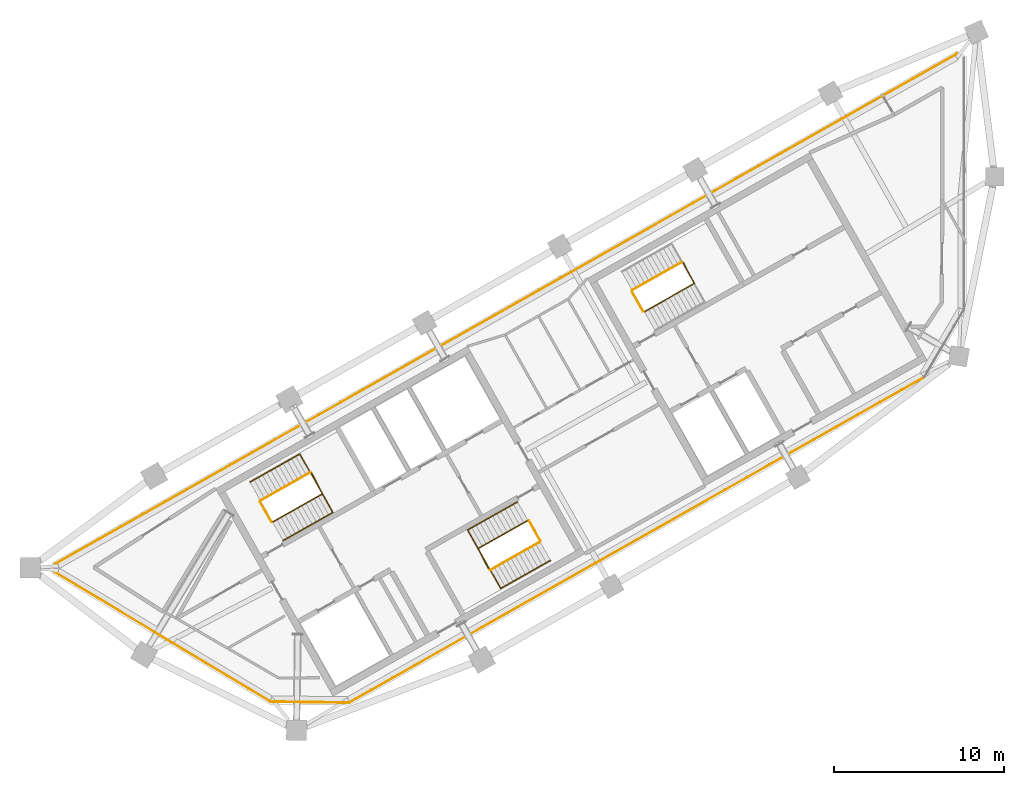
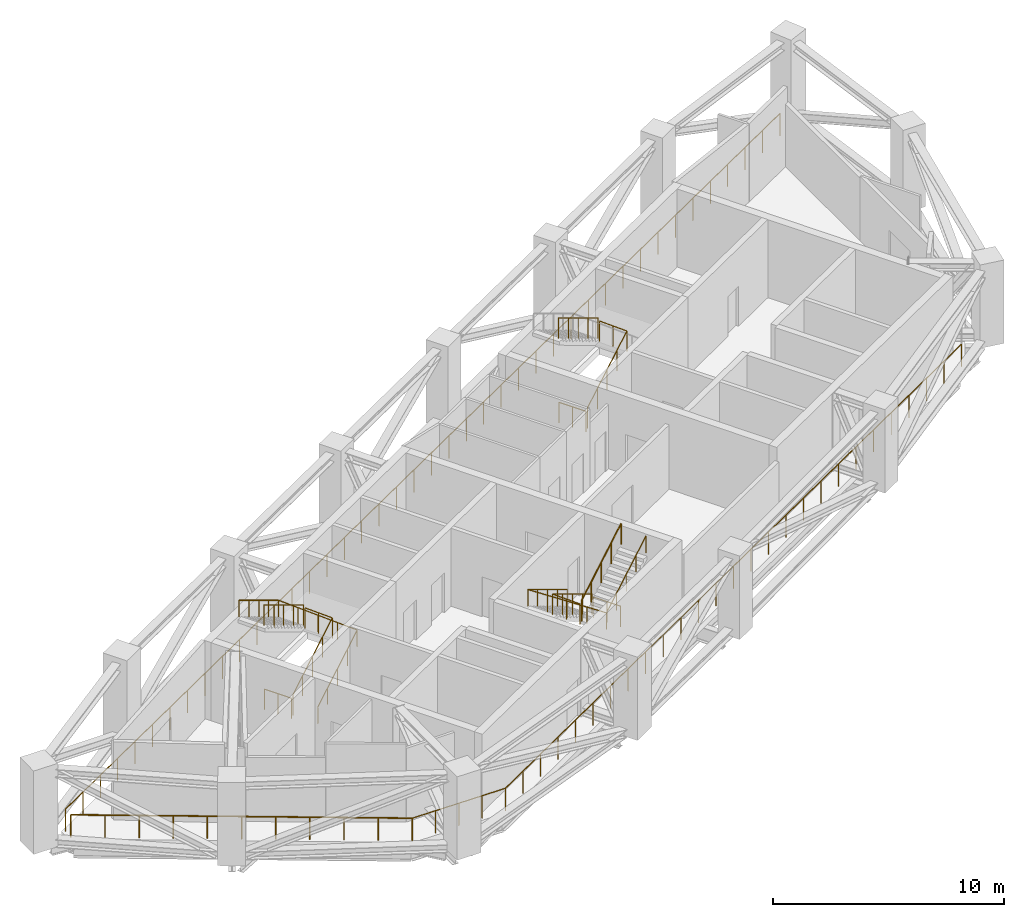
# One storey, part 9 of 10: 15 railings.
"""IFC4 building model written with IfcOpenShell, lengths in metres."""

from ifc_helpers import new_model, si_unit, direction, frame, origin, origin_2d, place, context, subcontext, project, spatial, circle, extrude, material, type_object, element, save


model = new_model("IFC4")

# Units and contexts
model_context = context("Model", 3, precision=1e-05, world=origin(), true_north=direction((0.0, 1.0)))
body_context = subcontext(model_context, "Body", "Model", "MODEL_VIEW")
ifc_project = project(units=[si_unit("LENGTHUNIT", "METRE"), si_unit("AREAUNIT", "SQUARE_METRE"), si_unit("VOLUMEUNIT", "CUBIC_METRE"), si_unit("PLANEANGLEUNIT", "RADIAN"), si_unit("MASSUNIT", "GRAM", prefix="KILO")], contexts=[model_context])

# Site, building, storey
site_placement = place(None, origin())
site = spatial("IfcSite", under=ifc_project, at=site_placement, CompositionType="ELEMENT")
building_placement = place(site_placement, origin())
building = spatial("IfcBuilding", under=site, at=building_placement, Name="Binnacle Exchange Tower", CompositionType="ELEMENT")
storey_placement = place(building_placement, frame((0.0, 0.0, 312.10009765625)))
storey = spatial("IfcBuildingStorey", under=building, at=storey_placement, Name="L70", CompositionType="ELEMENT", Elevation=312.10009765625)

# Railings
ifc_material_1 = material(Name="Bronze anodised aluminium frame", Category="aluminium")
railing_type_1 = type_object("IfcRailingType", Name="GUARD 1200", PredefinedType="GUARDRAIL", material=ifc_material_1)
railing_1_placement = place(storey_placement, frame((-4.974609375, 48.230224609375, 0.0)))
element("IfcRailing", 1, at=railing_1_placement, inside=storey, type_object=railing_type_1, Name="Slab edge guard 1 L70", PredefinedType="GUARDRAIL", context=body_context, shape_type="SweptSolid", body=[
    extrude(circle(Radius=0.02392578125, at=origin_2d()), frame((0.0, 0.0, 1.17578125), z_axis=(-0.870356132255, -0.492422788918, 0.0), x_axis=(0.492422788918, -0.870356132255, 0.0)), (0.0, 0.0, 1.0), 38.840087890625),
    extrude(circle(Radius=0.02099609375, at=origin_2d()), origin(), (0.0, 0.0, 1.0), 1.15185546875),
    extrude(circle(Radius=0.02099609375, at=origin_2d()), frame((-1.30029296875, -0.735595703125, 0.0)), (0.0, 0.0, 1.0), 1.15185546875),
    extrude(circle(Radius=0.02099609375, at=origin_2d()), frame((-2.600341796875, -1.47119140625, 0.0)), (0.0, 0.0, 1.0), 1.15185546875),
    extrude(circle(Radius=0.02099609375, at=origin_2d()), frame((-3.900634765625, -2.206787109375, 0.0)), (0.0, 0.0, 1.0), 1.15185546875),
    extrude(circle(Radius=0.02099609375, at=origin_2d()), frame((-5.20068359375, -2.9423828125, 0.0)), (0.0, 0.0, 1.0), 1.15185546875),
    extrude(circle(Radius=0.02099609375, at=origin_2d()), frame((-6.5009765625, -3.677978515625, 0.0)), (0.0, 0.0, 1.0), 1.15185546875),
    extrude(circle(Radius=0.02099609375, at=origin_2d()), frame((-7.801025390625, -4.41357421875, 0.0)), (0.0, 0.0, 1.0), 1.15185546875),
    extrude(circle(Radius=0.02099609375, at=origin_2d()), frame((-9.101318359375, -5.149169921875, 0.0)), (0.0, 0.0, 1.0), 1.15185546875),
    extrude(circle(Radius=0.02099609375, at=origin_2d()), frame((-10.4013671875, -5.884765625, 0.0)), (0.0, 0.0, 1.0), 1.15185546875),
    extrude(circle(Radius=0.02099609375, at=origin_2d()), frame((-11.70166015625, -6.620361328125, 0.0)), (0.0, 0.0, 1.0), 1.15185546875),
    extrude(circle(Radius=0.02099609375, at=origin_2d()), frame((-13.001708984375, -7.35595703125, 0.0)), (0.0, 0.0, 1.0), 1.15185546875),
    extrude(circle(Radius=0.02099609375, at=origin_2d()), frame((-14.302001953125, -8.091552734375, 0.0)), (0.0, 0.0, 1.0), 1.15185546875),
    extrude(circle(Radius=0.02099609375, at=origin_2d()), frame((-15.60205078125, -8.8271484375, 0.0)), (0.0, 0.0, 1.0), 1.15185546875),
    extrude(circle(Radius=0.02099609375, at=origin_2d()), frame((-16.90234375, -9.56298828125, 0.0)), (0.0, 0.0, 1.0), 1.15185546875),
    extrude(circle(Radius=0.02099609375, at=origin_2d()), frame((-18.20263671875, -10.298583984375, 0.0)), (0.0, 0.0, 1.0), 1.15185546875),
    extrude(circle(Radius=0.02099609375, at=origin_2d()), frame((-19.502685546875, -11.0341796875, 0.0)), (0.0, 0.0, 1.0), 1.15185546875),
    extrude(circle(Radius=0.02099609375, at=origin_2d()), frame((-20.802978515625, -11.769775390625, 0.0)), (0.0, 0.0, 1.0), 1.15185546875),
    extrude(circle(Radius=0.02099609375, at=origin_2d()), frame((-22.10302734375, -12.50537109375, 0.0)), (0.0, 0.0, 1.0), 1.15185546875),
    extrude(circle(Radius=0.02099609375, at=origin_2d()), frame((-23.4033203125, -13.240966796875, 0.0)), (0.0, 0.0, 1.0), 1.15185546875),
    extrude(circle(Radius=0.02099609375, at=origin_2d()), frame((-24.703369140625, -13.9765625, 0.0)), (0.0, 0.0, 1.0), 1.15185546875),
    extrude(circle(Radius=0.02099609375, at=origin_2d()), frame((-26.003662109375, -14.712158203125, 0.0)), (0.0, 0.0, 1.0), 1.15185546875),
    extrude(circle(Radius=0.02099609375, at=origin_2d()), frame((-27.3037109375, -15.44775390625, 0.0)), (0.0, 0.0, 1.0), 1.15185546875),
    extrude(circle(Radius=0.02099609375, at=origin_2d()), frame((-28.60400390625, -16.183349609375, 0.0)), (0.0, 0.0, 1.0), 1.15185546875),
    extrude(circle(Radius=0.02099609375, at=origin_2d()), frame((-29.904052734375, -16.9189453125, 0.0)), (0.0, 0.0, 1.0), 1.15185546875),
    extrude(circle(Radius=0.02099609375, at=origin_2d()), frame((-31.204345703125, -17.654541015625, 0.0)), (0.0, 0.0, 1.0), 1.15185546875),
    extrude(circle(Radius=0.02099609375, at=origin_2d()), frame((-32.50439453125, -18.39013671875, 0.0)), (0.0, 0.0, 1.0), 1.15185546875),
    extrude(circle(Radius=0.02099609375, at=origin_2d()), frame((-33.8046875, -19.125732421875, 0.0)), (0.0, 0.0, 1.0), 1.15185546875),
])
railing_2_placement = place(storey_placement, frame((-38.779296875, 29.1044921875, 0.0)))
element("IfcRailing", 2, at=railing_2_placement, inside=storey, type_object=railing_type_1, Name="Slab edge guard 2 L70", PredefinedType="GUARDRAIL", context=body_context, shape_type="SweptSolid", body=[
    extrude(circle(Radius=0.02392578125, at=origin_2d()), frame((0.0, 0.0, 1.17578125), z_axis=(-0.999914605357, 0.013068358512, 0.0), x_axis=(-0.013068358512, -0.999914605357, 0.0)), (0.0, 0.0, 1.0), 4.614501953125),
    extrude(circle(Radius=0.02099609375, at=origin_2d()), origin(), (0.0, 0.0, 1.0), 1.15185546875),
    extrude(circle(Radius=0.02099609375, at=origin_2d()), frame((-1.153564453125, 0.01513671875, 0.0)), (0.0, 0.0, 1.0), 1.15185546875),
    extrude(circle(Radius=0.02099609375, at=origin_2d()), frame((-2.30712890625, 0.0302734375, 0.0)), (0.0, 0.0, 1.0), 1.15185546875),
    extrude(circle(Radius=0.02099609375, at=origin_2d()), frame((-3.46044921875, 0.045166015625, 0.0)), (0.0, 0.0, 1.0), 1.15185546875),
    extrude(circle(Radius=0.02099609375, at=origin_2d()), frame((-4.614013671875, 0.060302734375, 0.0)), (0.0, 0.0, 1.0), 1.15185546875),
])
railing_3_placement = place(storey_placement, frame((-43.393310546875, 29.164794921875, 0.0)))
element("IfcRailing", 3, at=railing_3_placement, inside=storey, type_object=railing_type_1, Name="Slab edge guard 3 L70", PredefinedType="GUARDRAIL", context=body_context, shape_type="SweptSolid", body=[
    extrude(circle(Radius=0.02392578125, at=origin_2d()), frame((0.0, 0.0, 1.17578125), z_axis=(-0.857165864505, 0.515040465135, 0.0), x_axis=(-0.515040465135, -0.857165864505, 0.0)), (0.0, 0.0, 1.0), 14.761474609375),
    extrude(circle(Radius=0.02099609375, at=origin_2d()), origin(), (0.0, 0.0, 1.0), 1.15185546875),
    extrude(circle(Radius=0.02099609375, at=origin_2d()), frame((-1.265380859375, 0.76025390625, 0.0)), (0.0, 0.0, 1.0), 1.15185546875),
    extrude(circle(Radius=0.02099609375, at=origin_2d()), frame((-2.530517578125, 1.5205078125, 0.0)), (0.0, 0.0, 1.0), 1.15185546875),
    extrude(circle(Radius=0.02099609375, at=origin_2d()), frame((-3.7958984375, 2.28076171875, 0.0)), (0.0, 0.0, 1.0), 1.15185546875),
    extrude(circle(Radius=0.02099609375, at=origin_2d()), frame((-5.061279296875, 3.041015625, 0.0)), (0.0, 0.0, 1.0), 1.15185546875),
    extrude(circle(Radius=0.02099609375, at=origin_2d()), frame((-6.32666015625, 3.80126953125, 0.0)), (0.0, 0.0, 1.0), 1.15185546875),
    extrude(circle(Radius=0.02099609375, at=origin_2d()), frame((-7.591796875, 4.561767578125, 0.0)), (0.0, 0.0, 1.0), 1.15185546875),
    extrude(circle(Radius=0.02099609375, at=origin_2d()), frame((-8.857177734375, 5.322021484375, 0.0)), (0.0, 0.0, 1.0), 1.15185546875),
    extrude(circle(Radius=0.02099609375, at=origin_2d()), frame((-10.12255859375, 6.082275390625, 0.0)), (0.0, 0.0, 1.0), 1.15185546875),
    extrude(circle(Radius=0.02099609375, at=origin_2d()), frame((-11.3876953125, 6.842529296875, 0.0)), (0.0, 0.0, 1.0), 1.15185546875),
    extrude(circle(Radius=0.02099609375, at=origin_2d()), frame((-12.653076171875, 7.602783203125, 0.0)), (0.0, 0.0, 1.0), 1.15185546875),
])
railing_4_placement = place(storey_placement, frame((-56.0400390625, 37.24951171875, 0.0)))
element("IfcRailing", 4, at=railing_4_placement, inside=storey, type_object=railing_type_1, Name="Slab edge guard 4 L70", PredefinedType="GUARDRAIL", context=body_context, shape_type="SweptSolid", body=[
    extrude(circle(Radius=0.02392578125, at=origin_2d()), frame((0.0, 0.0, 1.17578125), z_axis=(0.870357317401, 0.492420694169, 0.0), x_axis=(-0.492420694169, 0.870357317401, 0.0)), (0.0, 0.0, 1.0), 60.864501953125),
    extrude(circle(Radius=0.02099609375, at=origin_2d()), origin(), (0.0, 0.0, 1.0), 1.15185546875),
    extrude(circle(Radius=0.02099609375, at=origin_2d()), frame((1.2919921875, 0.73095703125, 0.0)), (0.0, 0.0, 1.0), 1.15185546875),
    extrude(circle(Radius=0.02099609375, at=origin_2d()), frame((2.583984375, 1.4619140625, 0.0)), (0.0, 0.0, 1.0), 1.15185546875),
    extrude(circle(Radius=0.02099609375, at=origin_2d()), frame((3.876220703125, 2.193115234375, 0.0)), (0.0, 0.0, 1.0), 1.15185546875),
    extrude(circle(Radius=0.02099609375, at=origin_2d()), frame((5.168212890625, 2.924072265625, 0.0)), (0.0, 0.0, 1.0), 1.15185546875),
    extrude(circle(Radius=0.02099609375, at=origin_2d()), frame((6.460205078125, 3.655029296875, 0.0)), (0.0, 0.0, 1.0), 1.15185546875),
    extrude(circle(Radius=0.02099609375, at=origin_2d()), frame((7.752197265625, 4.385986328125, 0.0)), (0.0, 0.0, 1.0), 1.15185546875),
    extrude(circle(Radius=0.02099609375, at=origin_2d()), frame((9.04443359375, 5.116943359375, 0.0)), (0.0, 0.0, 1.0), 1.15185546875),
    extrude(circle(Radius=0.02099609375, at=origin_2d()), frame((10.33642578125, 5.847900390625, 0.0)), (0.0, 0.0, 1.0), 1.15185546875),
    extrude(circle(Radius=0.02099609375, at=origin_2d()), frame((11.62841796875, 6.5791015625, 0.0)), (0.0, 0.0, 1.0), 1.15185546875),
    extrude(circle(Radius=0.02099609375, at=origin_2d()), frame((12.92041015625, 7.31005859375, 0.0)), (0.0, 0.0, 1.0), 1.15185546875),
    extrude(circle(Radius=0.02099609375, at=origin_2d()), frame((14.21240234375, 8.041015625, 0.0)), (0.0, 0.0, 1.0), 1.15185546875),
    extrude(circle(Radius=0.02099609375, at=origin_2d()), frame((15.504638671875, 8.77197265625, 0.0)), (0.0, 0.0, 1.0), 1.15185546875),
    extrude(circle(Radius=0.02099609375, at=origin_2d()), frame((16.796630859375, 9.5029296875, 0.0)), (0.0, 0.0, 1.0), 1.15185546875),
    extrude(circle(Radius=0.02099609375, at=origin_2d()), frame((18.088623046875, 10.23388671875, 0.0)), (0.0, 0.0, 1.0), 1.15185546875),
    extrude(circle(Radius=0.02099609375, at=origin_2d()), frame((19.380615234375, 10.965087890625, 0.0)), (0.0, 0.0, 1.0), 1.15185546875),
    extrude(circle(Radius=0.02099609375, at=origin_2d()), frame((20.6728515625, 11.696044921875, 0.0)), (0.0, 0.0, 1.0), 1.15185546875),
    extrude(circle(Radius=0.02099609375, at=origin_2d()), frame((21.96484375, 12.427001953125, 0.0)), (0.0, 0.0, 1.0), 1.15185546875),
    extrude(circle(Radius=0.02099609375, at=origin_2d()), frame((23.2568359375, 13.157958984375, 0.0)), (0.0, 0.0, 1.0), 1.15185546875),
    extrude(circle(Radius=0.02099609375, at=origin_2d()), frame((24.548828125, 13.888916015625, 0.0)), (0.0, 0.0, 1.0), 1.15185546875),
    extrude(circle(Radius=0.02099609375, at=origin_2d()), frame((25.8408203125, 14.619873046875, 0.0)), (0.0, 0.0, 1.0), 1.15185546875),
    extrude(circle(Radius=0.02099609375, at=origin_2d()), frame((27.133056640625, 15.35107421875, 0.0)), (0.0, 0.0, 1.0), 1.15185546875),
    extrude(circle(Radius=0.02099609375, at=origin_2d()), frame((28.425048828125, 16.08203125, 0.0)), (0.0, 0.0, 1.0), 1.15185546875),
    extrude(circle(Radius=0.02099609375, at=origin_2d()), frame((29.717041015625, 16.81298828125, 0.0)), (0.0, 0.0, 1.0), 1.15185546875),
    extrude(circle(Radius=0.02099609375, at=origin_2d()), frame((31.009033203125, 17.5439453125, 0.0)), (0.0, 0.0, 1.0), 1.15185546875),
    extrude(circle(Radius=0.02099609375, at=origin_2d()), frame((32.301025390625, 18.27490234375, 0.0)), (0.0, 0.0, 1.0), 1.15185546875),
    extrude(circle(Radius=0.02099609375, at=origin_2d()), frame((33.59326171875, 19.005859375, 0.0)), (0.0, 0.0, 1.0), 1.15185546875),
    extrude(circle(Radius=0.02099609375, at=origin_2d()), frame((34.88525390625, 19.737060546875, 0.0)), (0.0, 0.0, 1.0), 1.15185546875),
    extrude(circle(Radius=0.02099609375, at=origin_2d()), frame((36.17724609375, 20.468017578125, 0.0)), (0.0, 0.0, 1.0), 1.15185546875),
    extrude(circle(Radius=0.02099609375, at=origin_2d()), frame((37.46923828125, 21.198974609375, 0.0)), (0.0, 0.0, 1.0), 1.15185546875),
    extrude(circle(Radius=0.02099609375, at=origin_2d()), frame((38.761474609375, 21.929931640625, 0.0)), (0.0, 0.0, 1.0), 1.15185546875),
    extrude(circle(Radius=0.02099609375, at=origin_2d()), frame((40.053466796875, 22.660888671875, 0.0)), (0.0, 0.0, 1.0), 1.15185546875),
    extrude(circle(Radius=0.02099609375, at=origin_2d()), frame((41.345458984375, 23.391845703125, 0.0)), (0.0, 0.0, 1.0), 1.15185546875),
    extrude(circle(Radius=0.02099609375, at=origin_2d()), frame((42.637451171875, 24.123046875, 0.0)), (0.0, 0.0, 1.0), 1.15185546875),
    extrude(circle(Radius=0.02099609375, at=origin_2d()), frame((43.929443359375, 24.85400390625, 0.0)), (0.0, 0.0, 1.0), 1.15185546875),
    extrude(circle(Radius=0.02099609375, at=origin_2d()), frame((45.2216796875, 25.5849609375, 0.0)), (0.0, 0.0, 1.0), 1.15185546875),
    extrude(circle(Radius=0.02099609375, at=origin_2d()), frame((46.513671875, 26.31591796875, 0.0)), (0.0, 0.0, 1.0), 1.15185546875),
    extrude(circle(Radius=0.02099609375, at=origin_2d()), frame((47.8056640625, 27.046875, 0.0)), (0.0, 0.0, 1.0), 1.15185546875),
    extrude(circle(Radius=0.02099609375, at=origin_2d()), frame((49.09765625, 27.77783203125, 0.0)), (0.0, 0.0, 1.0), 1.15185546875),
    extrude(circle(Radius=0.02099609375, at=origin_2d()), frame((50.389892578125, 28.509033203125, 0.0)), (0.0, 0.0, 1.0), 1.15185546875),
    extrude(circle(Radius=0.02099609375, at=origin_2d()), frame((51.681884765625, 29.239990234375, 0.0)), (0.0, 0.0, 1.0), 1.15185546875),
    extrude(circle(Radius=0.02099609375, at=origin_2d()), frame((52.973876953125, 29.970947265625, 0.0)), (0.0, 0.0, 1.0), 1.15185546875),
])
ifc_material_2 = material(Name="Steel guard rail", Category="steel")
railing_type_2 = type_object("IfcRailingType", Name="STAIR GUARD 1100", PredefinedType="GUARDRAIL", material=ifc_material_2)
railing_5_placement = place(storey_placement, frame((-43.26171875, 39.71728515625, 0.169189453125)))
element("IfcRailing", 5, at=railing_5_placement, inside=storey, type_object=railing_type_2, Name="L70 STA1 stair guard 1", PredefinedType="GUARDRAIL", context=body_context, shape_type="SweptSolid", body=[
    extrude(circle(Radius=0.02392578125, at=origin_2d()), frame((0.0, 0.0, 1.076171875), z_axis=(0.744867460262, 0.421436531824, 0.517265614832), x_axis=(-0.492433119026, 0.870350287693, 0.0)), (0.0, 0.0, 1.0), 3.926025390625),
    extrude(circle(Radius=0.02392578125, at=origin_2d()), frame((2.92431640625, 1.654541015625, 3.10693359375), z_axis=(-0.460963092712, 0.887419307406, 0.0), x_axis=(-0.887419307406, -0.460963092712, 0.0)), (0.0, 0.0, 1.0), 1.40087890625),
    extrude(circle(Radius=0.02099609375, at=origin_2d()), origin(), (0.0, 0.0, 1.0), 1.052001953125),
    extrude(circle(Radius=0.02099609375, at=origin_2d()), frame((0.73095703125, 0.41357421875, 0.5078125)), (0.0, 0.0, 1.0), 1.052001953125),
    extrude(circle(Radius=0.02099609375, at=origin_2d()), frame((1.462158203125, 0.8271484375, 1.015380859375)), (0.0, 0.0, 1.0), 1.052001953125),
    extrude(circle(Radius=0.02099609375, at=origin_2d()), frame((2.193359375, 1.240966796875, 1.52294921875)), (0.0, 0.0, 1.0), 1.052001953125),
    extrude(circle(Radius=0.02099609375, at=origin_2d()), frame((2.92431640625, 1.654541015625, 2.03076171875)), (0.0, 0.0, 1.0), 1.052001953125),
    extrude(circle(Radius=0.02099609375, at=origin_2d()), frame((2.6015625, 2.276123046875, 2.03076171875)), (0.0, 0.0, 1.0), 1.052001953125),
    extrude(circle(Radius=0.02099609375, at=origin_2d()), frame((2.278564453125, 2.897705078125, 2.03076171875)), (0.0, 0.0, 1.0), 1.052001953125),
])
railing_6_placement = place(storey_placement, frame((-41.05126953125, 42.6337890625, 2.369140625)))
element("IfcRailing", 6, at=railing_6_placement, inside=storey, type_object=railing_type_2, Name="L70 STA1 stair guard 2", PredefinedType="GUARDRAIL", context=body_context, shape_type="SweptSolid", body=[
    extrude(circle(Radius=0.02392578125, at=origin_2d()), frame((0.0, 0.0, 1.076171875), z_axis=(-0.744895141965, -0.421417011194, 0.517241655469), x_axis=(0.49240197835, -0.870367905955, 0.0)), (0.0, 0.0, 1.0), 3.926025390625),
    extrude(circle(Radius=0.02099609375, at=origin_2d()), origin(), (0.0, 0.0, 1.0), 1.052001953125),
    extrude(circle(Radius=0.02099609375, at=origin_2d()), frame((-0.731201171875, -0.41357421875, 0.5078125)), (0.0, 0.0, 1.0), 1.052001953125),
    extrude(circle(Radius=0.02099609375, at=origin_2d()), frame((-1.46240234375, -0.8271484375, 1.015380859375)), (0.0, 0.0, 1.0), 1.052001953125),
    extrude(circle(Radius=0.02099609375, at=origin_2d()), frame((-2.193359375, -1.240966796875, 1.52294921875)), (0.0, 0.0, 1.0), 1.052001953125),
    extrude(circle(Radius=0.02099609375, at=origin_2d()), frame((-2.924560546875, -1.654541015625, 2.03076171875)), (0.0, 0.0, 1.0), 1.052001953125),
])
railing_7_placement = place(storey_placement, frame((-43.329833984375, 39.736328125, 0.0)))
element("IfcRailing", 7, at=railing_7_placement, inside=storey, type_object=railing_type_2, Name="L70 STA1 stair guard 3", PredefinedType="GUARDRAIL", context=body_context, shape_type="SweptSolid", body=[
    extrude(circle(Radius=0.02392578125, at=origin_2d()), frame((0.0, 0.0, 1.076171875), z_axis=(-0.4924922531, 0.870316827734, 0.0), x_axis=(-0.870316827734, -0.4924922531, 0.0)), (0.0, 0.0, 1.0), 1.349853515625),
    extrude(circle(Radius=0.02099609375, at=origin_2d()), origin(), (0.0, 0.0, 1.0), 1.052001953125),
    extrude(circle(Radius=0.02099609375, at=origin_2d()), frame((-0.33251953125, 0.58740234375, 0.0)), (0.0, 0.0, 1.0), 1.052001953125),
    extrude(circle(Radius=0.02099609375, at=origin_2d()), frame((-0.664794921875, 1.1748046875, 0.0)), (0.0, 0.0, 1.0), 1.052001953125),
])
railing_8_placement = place(storey_placement, frame((-28.265380859375, 39.814453125, 0.169189453125)))
element("IfcRailing", 8, at=railing_8_placement, inside=storey, type_object=railing_type_2, Name="L70 STA2 stair guard 1", PredefinedType="GUARDRAIL", context=body_context, shape_type="SweptSolid", body=[
    extrude(circle(Radius=0.02392578125, at=origin_2d()), frame((0.0, 0.0, 1.076171875), z_axis=(-0.744895141965, -0.421417011194, 0.517241655469), x_axis=(0.49240197835, -0.870367905955, 0.0)), (0.0, 0.0, 1.0), 3.926025390625),
    extrude(circle(Radius=0.02392578125, at=origin_2d()), frame((-2.924560546875, -1.654541015625, 3.10693359375), z_axis=(0.461100321709, -0.887348011391, 0.0), x_axis=(0.887348011391, 0.461100321709, 0.0)), (0.0, 0.0, 1.0), 1.40087890625),
    extrude(circle(Radius=0.02099609375, at=origin_2d()), origin(), (0.0, 0.0, 1.0), 1.052001953125),
    extrude(circle(Radius=0.02099609375, at=origin_2d()), frame((-0.731201171875, -0.41357421875, 0.5078125)), (0.0, 0.0, 1.0), 1.052001953125),
    extrude(circle(Radius=0.02099609375, at=origin_2d()), frame((-1.46240234375, -0.8271484375, 1.015380859375)), (0.0, 0.0, 1.0), 1.052001953125),
    extrude(circle(Radius=0.02099609375, at=origin_2d()), frame((-2.193359375, -1.240966796875, 1.52294921875)), (0.0, 0.0, 1.0), 1.052001953125),
    extrude(circle(Radius=0.02099609375, at=origin_2d()), frame((-2.924560546875, -1.654541015625, 2.03076171875)), (0.0, 0.0, 1.0), 1.052001953125),
    extrude(circle(Radius=0.02099609375, at=origin_2d()), frame((-2.6015625, -2.276123046875, 2.03076171875)), (0.0, 0.0, 1.0), 1.052001953125),
    extrude(circle(Radius=0.02099609375, at=origin_2d()), frame((-2.278564453125, -2.897705078125, 2.03076171875)), (0.0, 0.0, 1.0), 1.052001953125),
])
railing_9_placement = place(storey_placement, frame((-30.475830078125, 36.89794921875, 2.369140625)))
element("IfcRailing", 9, at=railing_9_placement, inside=storey, type_object=railing_type_2, Name="L70 STA2 stair guard 2", PredefinedType="GUARDRAIL", context=body_context, shape_type="SweptSolid", body=[
    extrude(circle(Radius=0.02392578125, at=origin_2d()), frame((0.0, 0.0, 1.076171875), z_axis=(0.744867460262, 0.421436531824, 0.517265614832), x_axis=(-0.492433119026, 0.870350287693, 0.0)), (0.0, 0.0, 1.0), 3.926025390625),
    extrude(circle(Radius=0.02099609375, at=origin_2d()), origin(), (0.0, 0.0, 1.0), 1.052001953125),
    extrude(circle(Radius=0.02099609375, at=origin_2d()), frame((0.73095703125, 0.41357421875, 0.5078125)), (0.0, 0.0, 1.0), 1.052001953125),
    extrude(circle(Radius=0.02099609375, at=origin_2d()), frame((1.462158203125, 0.8271484375, 1.015380859375)), (0.0, 0.0, 1.0), 1.052001953125),
    extrude(circle(Radius=0.02099609375, at=origin_2d()), frame((2.193359375, 1.240966796875, 1.52294921875)), (0.0, 0.0, 1.0), 1.052001953125),
    extrude(circle(Radius=0.02099609375, at=origin_2d()), frame((2.92431640625, 1.654541015625, 2.03076171875)), (0.0, 0.0, 1.0), 1.052001953125),
])
railing_10_placement = place(storey_placement, frame((-28.197265625, 39.795654296875, 0.0)))
element("IfcRailing", 10, at=railing_10_placement, inside=storey, type_object=railing_type_2, Name="L70 STA2 stair guard 3", PredefinedType="GUARDRAIL", context=body_context, shape_type="SweptSolid", body=[
    extrude(circle(Radius=0.02392578125, at=origin_2d()), frame((0.0, 0.0, 1.076171875), z_axis=(0.49241474071, -0.870360685654, 0.0), x_axis=(0.870360685654, 0.49241474071, 0.0)), (0.0, 0.0, 1.0), 1.35009765625),
    extrude(circle(Radius=0.02099609375, at=origin_2d()), origin(), (0.0, 0.0, 1.0), 1.052001953125),
    extrude(circle(Radius=0.02099609375, at=origin_2d()), frame((0.33251953125, -0.58740234375, 0.0)), (0.0, 0.0, 1.0), 1.052001953125),
    extrude(circle(Radius=0.02099609375, at=origin_2d()), frame((0.664794921875, -1.175048828125, 0.0)), (0.0, 0.0, 1.0), 1.052001953125),
])
railing_11_placement = place(storey_placement, frame((-21.423828125, 52.07275390625, 0.169189453125)))
element("IfcRailing", 11, at=railing_11_placement, inside=storey, type_object=railing_type_2, Name="L70 STC1 stair guard 1", PredefinedType="GUARDRAIL", context=body_context, shape_type="SweptSolid", body=[
    extrude(circle(Radius=0.02392578125, at=origin_2d()), frame((0.0, 0.0, 1.076171875), z_axis=(0.744895141965, 0.421417011194, 0.517241655469), x_axis=(-0.49240197835, 0.870367905955, 0.0)), (0.0, 0.0, 1.0), 3.926025390625),
    extrude(circle(Radius=0.02392578125, at=origin_2d()), frame((2.924560546875, 1.654541015625, 3.10693359375), z_axis=(-0.461171632143, 0.887310952094, 0.0), x_axis=(-0.887310952094, -0.461171632143, 0.0)), (0.0, 0.0, 1.0), 1.40087890625),
    extrude(circle(Radius=0.02099609375, at=origin_2d()), origin(), (0.0, 0.0, 1.0), 1.052001953125),
    extrude(circle(Radius=0.02099609375, at=origin_2d()), frame((0.731201171875, 0.41357421875, 0.5078125)), (0.0, 0.0, 1.0), 1.052001953125),
    extrude(circle(Radius=0.02099609375, at=origin_2d()), frame((1.46240234375, 0.8271484375, 1.015380859375)), (0.0, 0.0, 1.0), 1.052001953125),
    extrude(circle(Radius=0.02099609375, at=origin_2d()), frame((2.193359375, 1.240966796875, 1.52294921875)), (0.0, 0.0, 1.0), 1.052001953125),
    extrude(circle(Radius=0.02099609375, at=origin_2d()), frame((2.924560546875, 1.654541015625, 2.03076171875)), (0.0, 0.0, 1.0), 1.052001953125),
    extrude(circle(Radius=0.02099609375, at=origin_2d()), frame((2.6015625, 2.27587890625, 2.03076171875)), (0.0, 0.0, 1.0), 1.052001953125),
    extrude(circle(Radius=0.02099609375, at=origin_2d()), frame((2.278564453125, 2.8974609375, 2.03076171875)), (0.0, 0.0, 1.0), 1.052001953125),
])
railing_12_placement = place(storey_placement, frame((-19.21337890625, 54.9892578125, 2.369140625)))
element("IfcRailing", 12, at=railing_12_placement, inside=storey, type_object=railing_type_2, Name="L70 STC1 stair guard 2", PredefinedType="GUARDRAIL", context=body_context, shape_type="SweptSolid", body=[
    extrude(circle(Radius=0.02392578125, at=origin_2d()), frame((0.0, 0.0, 1.076171875), z_axis=(-0.744867460262, -0.421436531824, 0.517265614832), x_axis=(0.492433119026, -0.870350287693, 0.0)), (0.0, 0.0, 1.0), 3.926025390625),
    extrude(circle(Radius=0.02099609375, at=origin_2d()), origin(), (0.0, 0.0, 1.0), 1.052001953125),
    extrude(circle(Radius=0.02099609375, at=origin_2d()), frame((-0.73095703125, -0.41357421875, 0.5078125)), (0.0, 0.0, 1.0), 1.052001953125),
    extrude(circle(Radius=0.02099609375, at=origin_2d()), frame((-1.462158203125, -0.8271484375, 1.015380859375)), (0.0, 0.0, 1.0), 1.052001953125),
    extrude(circle(Radius=0.02099609375, at=origin_2d()), frame((-2.193359375, -1.240966796875, 1.52294921875)), (0.0, 0.0, 1.0), 1.052001953125),
    extrude(circle(Radius=0.02099609375, at=origin_2d()), frame((-2.92431640625, -1.654541015625, 2.03076171875)), (0.0, 0.0, 1.0), 1.052001953125),
])
railing_13_placement = place(storey_placement, frame((-21.491943359375, 52.091552734375, 0.0)))
element("IfcRailing", 13, at=railing_13_placement, inside=storey, type_object=railing_type_2, Name="L70 STC1 stair guard 3", PredefinedType="GUARDRAIL", context=body_context, shape_type="SweptSolid", body=[
    extrude(circle(Radius=0.02392578125, at=origin_2d()), frame((0.0, 0.0, 1.076171875), z_axis=(-0.49241474071, 0.870360685654, 0.0), x_axis=(-0.870360685654, -0.49241474071, 0.0)), (0.0, 0.0, 1.0), 1.35009765625),
    extrude(circle(Radius=0.02099609375, at=origin_2d()), origin(), (0.0, 0.0, 1.0), 1.052001953125),
    extrude(circle(Radius=0.02099609375, at=origin_2d()), frame((-0.33251953125, 0.58740234375, 0.0)), (0.0, 0.0, 1.0), 1.052001953125),
    extrude(circle(Radius=0.02099609375, at=origin_2d()), frame((-0.664794921875, 1.175048828125, 0.0)), (0.0, 0.0, 1.0), 1.052001953125),
])
ifc_material_3 = material(Name="Steel handrail", Category="steel")
railing_type_3 = type_object("IfcRailingType", Name="STAIR HANDRAIL 900", PredefinedType="HANDRAIL", material=ifc_material_3)
railing_14_placement = place(storey_placement, frame((-42.646240234375, 38.62939453125, 0.169189453125)))
element("IfcRailing", 14, at=railing_14_placement, inside=storey, type_object=railing_type_3, Name="L70 STA1 stair handrail 1", PredefinedType="HANDRAIL", context=body_context, shape_type="SweptSolid", body=[
    extrude(circle(Radius=0.02392578125, at=origin_2d()), frame((0.0, 0.0, 0.8759765625), z_axis=(0.744867460262, 0.421436531824, 0.517265614832), x_axis=(-0.492433119026, 0.870350287693, 0.0)), (0.0, 0.0, 1.0), 3.926025390625),
    extrude(circle(Radius=0.02392578125, at=origin_2d()), frame((2.92431640625, 1.654541015625, 2.90673828125), z_axis=(-0.491962556146, 0.869564041126, 0.04279277663), x_axis=(-0.870361318571, -0.492413622004, 0.0)), (0.0, 0.0, 1.0), 3.95361328125),
    extrude(circle(Radius=0.02392578125, at=origin_2d()), frame((0.979248046875, 5.092529296875, 3.07568359375), z_axis=(-0.744867460262, -0.421436531824, 0.517265614832), x_axis=(0.492433119026, -0.870350287693, 0.0)), (0.0, 0.0, 1.0), 3.926025390625),
    extrude(circle(Radius=0.02099609375, at=origin_2d()), origin(), (0.0, 0.0, 1.0), 0.851806640625),
    extrude(circle(Radius=0.02099609375, at=origin_2d()), frame((0.73095703125, 0.41357421875, 0.5078125)), (0.0, 0.0, 1.0), 0.851806640625),
    extrude(circle(Radius=0.02099609375, at=origin_2d()), frame((1.462158203125, 0.8271484375, 1.015380859375)), (0.0, 0.0, 1.0), 0.851806640625),
    extrude(circle(Radius=0.02099609375, at=origin_2d()), frame((2.193359375, 1.240966796875, 1.52294921875)), (0.0, 0.0, 1.0), 0.851806640625),
    extrude(circle(Radius=0.02099609375, at=origin_2d()), frame((2.92431640625, 1.654541015625, 2.03076171875)), (0.0, 0.0, 1.0), 0.851806640625),
    extrude(circle(Radius=0.02099609375, at=origin_2d()), frame((2.43798828125, 2.51416015625, 2.072998046875)), (0.0, 0.0, 1.0), 0.851806640625),
    extrude(circle(Radius=0.02099609375, at=origin_2d()), frame((1.95166015625, 3.37353515625, 2.115234375)), (0.0, 0.0, 1.0), 0.851806640625),
    extrude(circle(Radius=0.02099609375, at=origin_2d()), frame((1.465576171875, 4.23291015625, 2.15771484375)), (0.0, 0.0, 1.0), 0.851806640625),
    extrude(circle(Radius=0.02099609375, at=origin_2d()), frame((0.979248046875, 5.092529296875, 2.199951171875)), (0.0, 0.0, 1.0), 0.851806640625),
    extrude(circle(Radius=0.02099609375, at=origin_2d()), frame((0.248046875, 4.678955078125, 2.70751953125)), (0.0, 0.0, 1.0), 0.851806640625),
    extrude(circle(Radius=0.02099609375, at=origin_2d()), frame((-0.48291015625, 4.26513671875, 3.21533203125)), (0.0, 0.0, 1.0), 0.851806640625),
    extrude(circle(Radius=0.02099609375, at=origin_2d()), frame((-1.2138671875, 3.8515625, 3.72314453125)), (0.0, 0.0, 1.0), 0.851806640625),
    extrude(circle(Radius=0.02099609375, at=origin_2d()), frame((-1.945068359375, 3.43798828125, 4.230712890625)), (0.0, 0.0, 1.0), 0.851806640625),
])
railing_15_placement = place(storey_placement, frame((-28.880859375, 40.90234375, 0.169189453125)))
element("IfcRailing", 15, at=railing_15_placement, inside=storey, type_object=railing_type_3, Name="L70 STA2 stair handrail 1", PredefinedType="HANDRAIL", context=body_context, shape_type="SweptSolid", body=[
    extrude(circle(Radius=0.02392578125, at=origin_2d()), frame((0.0, 0.0, 0.8759765625), z_axis=(-0.744895141965, -0.421417011194, 0.517241655469), x_axis=(0.49240197835, -0.870367905955, 0.0)), (0.0, 0.0, 1.0), 3.926025390625),
    extrude(circle(Radius=0.02392578125, at=origin_2d()), frame((-2.924560546875, -1.654541015625, 2.90673828125), z_axis=(0.491988973567, -0.869548981648, 0.042795074518), x_axis=(0.87034633103, 0.492440112159, 0.0)), (0.0, 0.0, 1.0), 3.953369140625),
    extrude(circle(Radius=0.02392578125, at=origin_2d()), frame((-0.9794921875, -5.09228515625, 3.07568359375), z_axis=(0.744895141965, 0.421417011194, 0.517241655469), x_axis=(-0.49240197835, 0.870367905955, 0.0)), (0.0, 0.0, 1.0), 3.926025390625),
    extrude(circle(Radius=0.02099609375, at=origin_2d()), origin(), (0.0, 0.0, 1.0), 0.851806640625),
    extrude(circle(Radius=0.02099609375, at=origin_2d()), frame((-0.731201171875, -0.41357421875, 0.5078125)), (0.0, 0.0, 1.0), 0.851806640625),
    extrude(circle(Radius=0.02099609375, at=origin_2d()), frame((-1.46240234375, -0.8271484375, 1.015380859375)), (0.0, 0.0, 1.0), 0.851806640625),
    extrude(circle(Radius=0.02099609375, at=origin_2d()), frame((-2.193359375, -1.240966796875, 1.52294921875)), (0.0, 0.0, 1.0), 0.851806640625),
    extrude(circle(Radius=0.02099609375, at=origin_2d()), frame((-2.924560546875, -1.654541015625, 2.03076171875)), (0.0, 0.0, 1.0), 0.851806640625),
    extrude(circle(Radius=0.02099609375, at=origin_2d()), frame((-2.438232421875, -2.513916015625, 2.072998046875)), (0.0, 0.0, 1.0), 0.851806640625),
    extrude(circle(Radius=0.02099609375, at=origin_2d()), frame((-1.9521484375, -3.37353515625, 2.115234375)), (0.0, 0.0, 1.0), 0.851806640625),
    extrude(circle(Radius=0.02099609375, at=origin_2d()), frame((-1.4658203125, -4.23291015625, 2.15771484375)), (0.0, 0.0, 1.0), 0.851806640625),
    extrude(circle(Radius=0.02099609375, at=origin_2d()), frame((-0.9794921875, -5.09228515625, 2.199951171875)), (0.0, 0.0, 1.0), 0.851806640625),
    extrude(circle(Radius=0.02099609375, at=origin_2d()), frame((-0.248291015625, -4.6787109375, 2.70751953125)), (0.0, 0.0, 1.0), 0.851806640625),
    extrude(circle(Radius=0.02099609375, at=origin_2d()), frame((0.48291015625, -4.26513671875, 3.21533203125)), (0.0, 0.0, 1.0), 0.851806640625),
    extrude(circle(Radius=0.02099609375, at=origin_2d()), frame((1.2138671875, -3.851318359375, 3.72314453125)), (0.0, 0.0, 1.0), 0.851806640625),
    extrude(circle(Radius=0.02099609375, at=origin_2d()), frame((1.945068359375, -3.437744140625, 4.230712890625)), (0.0, 0.0, 1.0), 0.851806640625),
])

save(model, "model.ifc")
